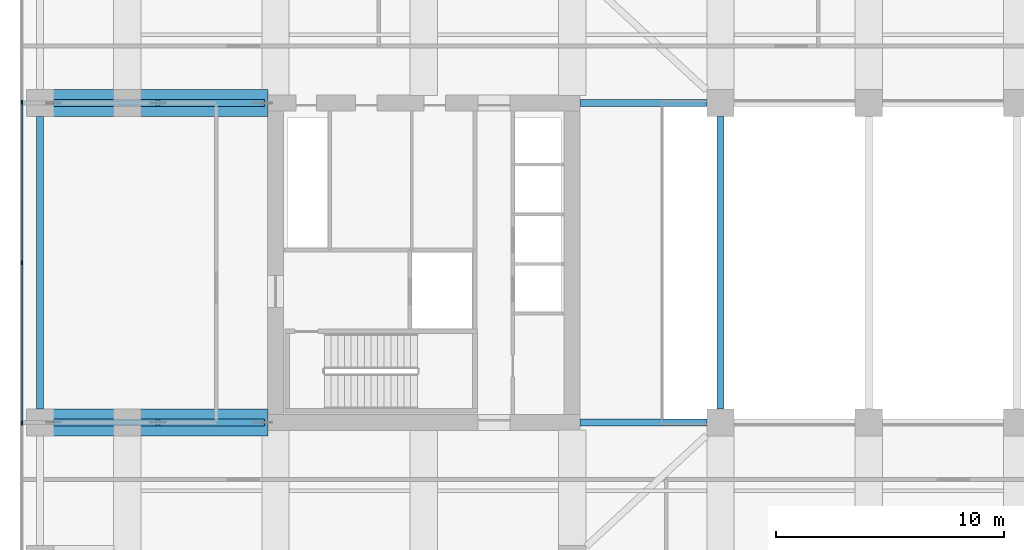
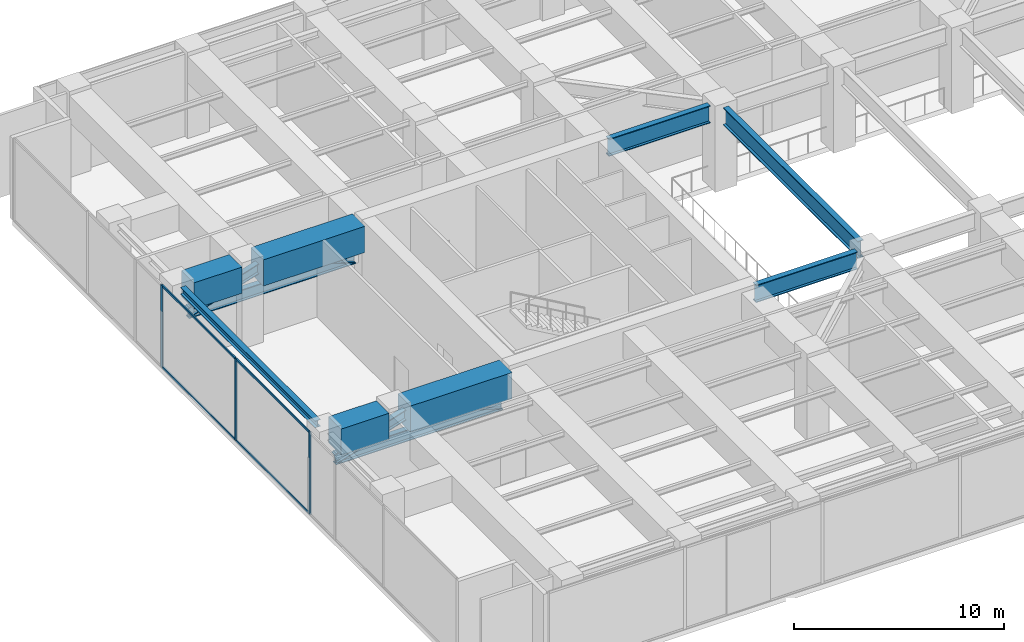
# One storey, part 4 of 28: 13 members, 8 beams, 1 element without a shape of its own.
"""IFC4 building model written with IfcOpenShell, lengths in metres."""

import ifcopenshell
import ifcopenshell.guid

model = None  # the IFC model being written
_history = None  # IfcOwnerHistory: only IFC2X3 demands one
_inside = {}  # id of a spatial element -> (the spatial element, [elements in it])
_under = {}  # id of a project, library or spatial element -> (it, [spatial elements below it])
_declared = {}  # id of a project -> (the project, [libraries it declares])
_typed = {}  # id of a type object -> (the type object, [elements of that type])
_made_of = {}  # id of a material, layer set ... -> (it, [elements and type objects made of it])


def new_model(schema):
    """Start an empty IFC model of exactly this schema.

    Asked for "IFC4X3", IfcOpenShell would pick the latest addendum, in which some entities
    have other attributes; the version numbers below select the first issue.
    IFC2X3 requires an IfcOwnerHistory on every rooted entity: one is made here for all.
    """
    global model, _history
    if schema == "IFC4X3":
        model = ifcopenshell.file(schema_version=(4, 3, 0, 0))
    else:
        model = ifcopenshell.file(schema=schema)
    _inside.clear()
    _under.clear()
    _declared.clear()
    _typed.clear()
    _made_of.clear()
    _history = None
    if model.schema == "IFC2X3":
        org = make("IfcOrganization", Name="unknown")
        user = make(
            "IfcPersonAndOrganization",
            ThePerson=make("IfcPerson", FamilyName="unknown"),
            TheOrganization=org,
        )
        app = make(
            "IfcApplication",
            ApplicationDeveloper=org,
            Version="unknown",
            ApplicationFullName="unknown",
            ApplicationIdentifier="unknown",
        )
        _history = make(
            "IfcOwnerHistory",
            OwningUser=user,
            OwningApplication=app,
            ChangeAction="ADDED",
            CreationDate=0,
        )
    return model


def make(cls, **values):
    """One entity of the class cls with the attributes given. An attribute that is None is left unset."""
    return model.create_entity(
        cls, **{name: value for name, value in values.items() if value is not None}
    )


def rooted(cls, **values):
    """An entity with a GlobalId (a new one), such as an element, a storey or a relation."""
    return make(cls, GlobalId=ifcopenshell.guid.new(), OwnerHistory=_history, **values)


def si_unit(unit_type, name, prefix=None):
    """IfcSIUnit, for example si_unit("LENGTHUNIT", "METRE", prefix="MILLI")."""
    return make("IfcSIUnit", UnitType=unit_type, Prefix=prefix, Name=name)


def assignment(units):
    """IfcUnitAssignment: the units of a project."""
    return None if units is None else make("IfcUnitAssignment", Units=units)


def point(xyz):
    """IfcCartesianPoint."""
    return None if xyz is None else make("IfcCartesianPoint", Coordinates=xyz)


def direction(xyz):
    """IfcDirection."""
    return None if xyz is None else make("IfcDirection", DirectionRatios=xyz)


def frame(location, z_axis=None, x_axis=None):
    """IfcAxis2Placement3D, a coordinate frame: its origin and axes. An axis left out is left unset."""
    return make(
        "IfcAxis2Placement3D",
        Location=point(location),
        Axis=direction(z_axis),
        RefDirection=direction(x_axis),
    )


def frame_2d(location, x_axis=None):
    """IfcAxis2Placement2D, a coordinate frame in the plane: its origin and x axis."""
    return make(
        "IfcAxis2Placement2D", Location=point(location), RefDirection=direction(x_axis)
    )


def origin():
    """The frame at (0, 0, 0) with its axes left unset."""
    return frame((0.0, 0.0, 0.0))


def origin_2d():
    """The frame at (0, 0) in the plane with its x axis left unset."""
    return frame_2d((0.0, 0.0))


def place(relative_to, where):
    """IfcLocalPlacement: puts the frame where relative to a parent placement (None: the world)."""
    return make(
        "IfcLocalPlacement", PlacementRelTo=relative_to, RelativePlacement=where
    )


def context(
    kind, dimensions, precision=None, world=None, true_north=None, identifier=None
):
    """IfcGeometricRepresentationContext, for example the 3D "Model" context."""
    return make(
        "IfcGeometricRepresentationContext",
        ContextIdentifier=identifier,
        ContextType=kind,
        CoordinateSpaceDimension=dimensions,
        Precision=precision,
        WorldCoordinateSystem=world,
        TrueNorth=true_north,
    )


def subcontext(parent, identifier, kind, view, scale=None):
    """IfcGeometricRepresentationSubContext, for example "Body" below "Model"."""
    return make(
        "IfcGeometricRepresentationSubContext",
        ContextIdentifier=identifier,
        ContextType=kind,
        ParentContext=parent,
        TargetScale=scale,
        TargetView=view,
    )


def project(units=None, contexts=None):
    """IfcProject with its units and contexts."""
    return rooted(
        "IfcProject",
        Name="project",
        RepresentationContexts=contexts,
        UnitsInContext=assignment(units),
    )


def spatial(cls, under=None, at=None, **own):
    """A site, building, storey or space (cls), placed at a placement, below another one or the project."""
    s = rooted(cls, ObjectPlacement=at, **own)
    if under is not None:
        _under.setdefault(under.id(), (under, []))[1].append(s)
    return s


def profile(cls, at=None, kind="AREA", **sizes):
    """A parametric profile (cls). Its sizes go by their IFC names, for example OverallWidth=200.0."""
    return make(cls, ProfileType=kind, Position=at, **sizes)


def rectangle(**sizes):
    """IfcRectangleProfileDef."""
    return profile("IfcRectangleProfileDef", **sizes)


def i_section(**sizes):
    """IfcIShapeProfileDef."""
    return profile("IfcIShapeProfileDef", **sizes)


def extrude(swept, where, along, depth):
    """IfcExtrudedAreaSolid: the profile swept, set in the frame where, extruded along a direction by depth."""
    return make(
        "IfcExtrudedAreaSolid",
        SweptArea=swept,
        Position=where,
        ExtrudedDirection=direction(along),
        Depth=depth,
    )


def shape(context_of_items, identifier, shape_type, items):
    """IfcShapeRepresentation: the items that make up one representation, for example the "Body"."""
    return make(
        "IfcShapeRepresentation",
        ContextOfItems=context_of_items,
        RepresentationIdentifier=identifier,
        RepresentationType=shape_type,
        Items=items,
    )


def material(Name=None, Category=None):
    """IfcMaterial."""
    return make("IfcMaterial", Name=Name, Category=Category)


def layer(
    of_material, thickness, ventilated=None, Name=None, Category=None, Priority=None
):
    """IfcMaterialLayer: one layer of a wall or slab, of a material (None: an air gap)."""
    return make(
        "IfcMaterialLayer",
        Material=of_material,
        LayerThickness=thickness,
        IsVentilated=ventilated,
        Name=Name,
        Category=Category,
        Priority=Priority,
    )


def layer_set(layers, Name=None):
    """IfcMaterialLayerSet."""
    return make("IfcMaterialLayerSet", MaterialLayers=layers, LayerSetName=Name)


def material_profile(
    of_material, cross_section, Name=None, Category=None, Priority=None
):
    """IfcMaterialProfile: a cross section and its material."""
    return make(
        "IfcMaterialProfile",
        Name=Name,
        Material=of_material,
        Profile=cross_section,
        Priority=Priority,
        Category=Category,
    )


def profile_set(profiles, Name=None, composite=None):
    """IfcMaterialProfileSet."""
    return make(
        "IfcMaterialProfileSet",
        Name=Name,
        MaterialProfiles=profiles,
        CompositeProfile=composite,
    )


def made_of(thing, what):
    """Note that an element or type object is made of a material, layer set ...; save() writes the relation."""
    if what is not None:
        _made_of.setdefault(what.id(), (what, []))[1].append(thing)
    return thing


def type_object(cls, material=None, **own):
    """A type object (cls), such as IfcWallType, which elements share."""
    return made_of(rooted(cls, **own), material)


def element(
    cls,
    number,
    at=None,
    inside=None,
    cuts=None,
    type_object=None,
    material=None,
    context=None,
    identifier="Body",
    shape_type=None,
    held_by="IfcProductDefinitionShape",
    body=None,
    shapes=None,
    **own,
):
    """One element of the class cls, such as IfcWall. Its Tag is "e" and its number.

    at: its placement. inside: the storey or other place that contains it. cuts: it is an
    opening in that element (IfcRelVoidsElement). A single representation is given by context,
    identifier, shape_type and body (its items); several are given by shapes. held_by: the class
    of the entity that holds the representations. save() writes the other relations.
    """
    e = rooted(cls, Tag="e%d" % number, ObjectPlacement=at, **own)
    if body is not None:
        shapes = [shape(context, identifier, shape_type, body)]
    if shapes is not None:
        e.Representation = make(held_by, Representations=shapes)
    if inside is not None:
        _inside.setdefault(inside.id(), (inside, []))[1].append(e)
    if cuts is not None:
        rooted(
            "IfcRelVoidsElement", RelatingBuildingElement=cuts, RelatedOpeningElement=e
        )
    if type_object is not None:
        _typed.setdefault(type_object.id(), (type_object, []))[1].append(e)
    return made_of(e, material)


def aggregate(whole, parts):
    """IfcRelAggregates: a whole, such as a stair, and the parts it consists of."""
    return rooted("IfcRelAggregates", RelatingObject=whole, RelatedObjects=parts)


def save(model, path):
    """Write the relations noted so far, then the file.

    IfcRelAggregates (storeys below a building ...), IfcRelContainedInSpatialStructure (elements
    in a storey), IfcRelDefinesByType, IfcRelAssociatesMaterial and IfcRelDeclares: one each for
    every whole, place, type object, material and project.
    """
    for whole, parts in _under.values():
        aggregate(whole, parts)
    for where, things in _inside.values():
        rooted(
            "IfcRelContainedInSpatialStructure",
            RelatedElements=things,
            RelatingStructure=where,
        )
    for kind, things in _typed.values():
        rooted("IfcRelDefinesByType", RelatedObjects=things, RelatingType=kind)
    for what, things in _made_of.values():
        rooted("IfcRelAssociatesMaterial", RelatedObjects=things, RelatingMaterial=what)
    for by, libraries in _declared.values():
        rooted("IfcRelDeclares", RelatingContext=by, RelatedDefinitions=libraries)
    model.write(path)


model = new_model("IFC4")

# Units and contexts
model_context = context("Model", 3, precision=1e-05, world=origin(), true_north=direction((0.0, 1.0)))
body_context = subcontext(model_context, "Body", "Model", "MODEL_VIEW")
ifc_project = project(units=[si_unit("LENGTHUNIT", "METRE"), si_unit("AREAUNIT", "SQUARE_METRE"), si_unit("VOLUMEUNIT", "CUBIC_METRE"), si_unit("PLANEANGLEUNIT", "RADIAN"), si_unit("MASSUNIT", "GRAM", prefix="KILO")], contexts=[model_context])

# Site, building, storey
site_placement = place(None, origin())
site = spatial("IfcSite", under=ifc_project, at=site_placement, CompositionType="ELEMENT")
building_placement = place(site_placement, origin())
building = spatial("IfcBuilding", under=site, at=building_placement, Name="Putna Gate Headquarters", CompositionType="ELEMENT")
storey_placement = place(building_placement, frame((0.0, 0.0, 139.199951171875)))
storey = spatial("IfcBuildingStorey", under=building, at=storey_placement, Name="L34", CompositionType="ELEMENT", Elevation=139.199951171875)

# Beams
ifc_material_1 = material(Name="Steel S355J2", Category="steel")
ifc_material_profile_1 = material_profile(ifc_material_1, i_section(OverallWidth=0.300048828125, OverallDepth=0.39990234375, WebThickness=0.013427734375, FlangeThickness=0.02392578125, at=origin_2d()), Name="Steel S355J2")
ifc_profile_set_1 = profile_set([ifc_material_profile_1], Name="Steel S355J2")
beam_type_1 = type_object("IfcBeamType", Name="BM-SPAN-Z3-HEB400", PredefinedType="SPANDREL", material=ifc_profile_set_1)
beam_1_placement = place(storey_placement, frame((2.679931640625, 19.587890625, 4.572021484375), z_axis=(0.0, 1.0, 0.0), x_axis=(-1.0, 0.0, 0.0)))
element("IfcBeam", 1, at=beam_1_placement, inside=storey, type_object=beam_type_1, Name="L34 W End Spandrel 2", PredefinedType="SPANDREL", context=body_context, shape_type="SweptSolid", body=[
    extrude(i_section(OverallWidth=0.300048828125, OverallDepth=0.39990234375, WebThickness=0.013427734375, FlangeThickness=0.02392578125, at=origin_2d()), origin(), (0.0, 0.0, 1.0), 12.82421875),
])
ifc_material_2 = material(Name="Steel S460M", Category="steel")
ifc_material_profile_2 = material_profile(ifc_material_2, i_section(OverallWidth=0.302001953125, OverallDepth=1.008056640625, WebThickness=0.02099609375, FlangeThickness=0.0400390625, at=origin_2d()), Name="Steel S460M")
ifc_profile_set_2 = profile_set([ifc_material_profile_2], Name="Steel S460M")
beam_type_2 = type_object("IfcBeamType", Name="BM-TG-HEM1000", PredefinedType="USERDEFINED", material=ifc_profile_set_2)
for number, where, z_axis, x_axis, name in (
    (2, (26.3349609375, 19.0, 4.26806640625), (1.0, 0.0, 0.0), (0.0, 1.0, 0.0), "L34 Atrium Edge Beam AS1"),
    (3, (26.3349609375, 33.0, 4.26806640625), (1.0, 0.0, 0.0), (0.0, 1.0, 0.0), "L34 Atrium Edge Beam AN1"),
):
    element("IfcBeam", number, at=place(storey_placement, frame(where, z_axis=z_axis, x_axis=x_axis)), inside=storey, type_object=beam_type_2, Name=name, ObjectType="GIRDER", PredefinedType="USERDEFINED", context=body_context, shape_type="SweptSolid", body=[
        extrude(i_section(OverallWidth=0.302001953125, OverallDepth=1.008056640625, WebThickness=0.02099609375, FlangeThickness=0.0400390625, at=origin_2d()), origin(), (0.0, 0.0, 1.0), 5.5771484375),
    ])
beam_2_placement = place(storey_placement, frame((32.5, 19.587890625, 4.26806640625), z_axis=(0.0, 1.0, 0.0), x_axis=(-1.0, 0.0, 0.0)))
element("IfcBeam", 4, at=beam_2_placement, inside=storey, type_object=beam_type_2, Name="L34 Plant Floor Central Tie Girder X32", ObjectType="GIRDER", PredefinedType="USERDEFINED", context=body_context, shape_type="SweptSolid", body=[
    extrude(i_section(OverallWidth=0.302001953125, OverallDepth=1.008056640625, WebThickness=0.02099609375, FlangeThickness=0.0400390625, at=origin_2d()), origin(), (0.0, 0.0, 1.0), 12.82421875),
])
ifc_material_3 = material(Name="Concrete C50/60", Category="concrete")
ifc_material_profile_3 = material_profile(ifc_material_3, rectangle(XDim=1.199951171875, YDim=1.52001953125, at=origin_2d()), Name="Concrete C50/60")
ifc_profile_set_3 = profile_set([ifc_material_profile_3], Name="Concrete C50/60")
beam_type_3 = type_object("IfcBeamType", Name="BM-TG-RC1520", PredefinedType="USERDEFINED", material=ifc_profile_set_3)
beam_3_placement = place(storey_placement, frame((3.26806640625, 19.0, 4.011962890625), z_axis=(1.0, 0.0, 0.0), x_axis=(0.0, 1.0, 0.0)))
element("IfcBeam", 5, at=beam_3_placement, inside=storey, type_object=beam_type_3, Name="L34 West Wing Girder Y19-1", ObjectType="GIRDER", PredefinedType="USERDEFINED", context=body_context, shape_type="SweptSolid", body=[
    extrude(rectangle(XDim=1.199951171875, YDim=1.52001953125, at=origin_2d()), origin(), (0.0, 0.0, 1.0), 2.64404296875),
])
beam_4_placement = place(storey_placement, frame((7.087890625, 19.0, 4.011962890625), z_axis=(1.0, 0.0, 0.0), x_axis=(0.0, 1.0, 0.0)))
element("IfcBeam", 6, at=beam_4_placement, inside=storey, type_object=beam_type_3, Name="L34 West Wing Girder Y19-2", ObjectType="GIRDER", PredefinedType="USERDEFINED", context=body_context, shape_type="SweptSolid", body=[
    extrude(rectangle(XDim=1.199951171875, YDim=1.52001953125, at=origin_2d()), origin(), (0.0, 0.0, 1.0), 5.5771484375),
])
beam_5_placement = place(storey_placement, frame((3.26806640625, 33.0, 4.011962890625), z_axis=(1.0, 0.0, 0.0), x_axis=(0.0, 1.0, 0.0)))
element("IfcBeam", 7, at=beam_5_placement, inside=storey, type_object=beam_type_3, Name="L34 West Wing Girder Y33-1", ObjectType="GIRDER", PredefinedType="USERDEFINED", context=body_context, shape_type="SweptSolid", body=[
    extrude(rectangle(XDim=1.199951171875, YDim=1.52001953125, at=origin_2d()), origin(), (0.0, 0.0, 1.0), 2.64404296875),
])
beam_6_placement = place(storey_placement, frame((7.087890625, 33.0, 4.011962890625), z_axis=(1.0, 0.0, 0.0), x_axis=(0.0, 1.0, 0.0)))
element("IfcBeam", 8, at=beam_6_placement, inside=storey, type_object=beam_type_3, Name="L34 West Wing Girder Y33-2", ObjectType="GIRDER", PredefinedType="USERDEFINED", context=body_context, shape_type="SweptSolid", body=[
    extrude(rectangle(XDim=1.199951171875, YDim=1.52001953125, at=origin_2d()), origin(), (0.0, 0.0, 1.0), 5.5771484375),
])

# Members
ifc_material_profile_4 = material_profile(ifc_material_2, i_section(OverallWidth=0.304931640625, OverallDepth=0.66796875, WebThickness=0.02099609375, FlangeThickness=0.0400390625, at=origin_2d()), Name="Steel S460M")
ifc_profile_set_4 = profile_set([ifc_material_profile_4], Name="Steel S460M")
member_type_1 = type_object("IfcMemberType", Name="MEM-OUTRIGGER-CHORD-HEM650", PredefinedType="CHORD", material=ifc_profile_set_4)
for number, where, z_axis, x_axis, name in (
    (9, (3.264892578125, 19.0, 2.75), (1.0, 0.0, 0.0), (0.0, 1.0, 0.0), "L34 Outrigger Bottom Chord WS"),
    (10, (3.264892578125, 33.0, 2.75), (1.0, 0.0, 0.0), (0.0, 1.0, 0.0), "L34 Outrigger Bottom Chord WN"),
):
    element("IfcMember", number, at=place(storey_placement, frame(where, z_axis=z_axis, x_axis=x_axis)), inside=storey, type_object=member_type_1, Name=name, PredefinedType="CHORD", context=body_context, shape_type="SweptSolid", body=[
        extrude(i_section(OverallWidth=0.304931640625, OverallDepth=0.66796875, WebThickness=0.02099609375, FlangeThickness=0.0400390625, at=origin_2d()), origin(), (0.0, 0.0, 1.0), 9.1650390625),
    ])
ifc_material_profile_5 = material_profile(ifc_material_2, i_section(OverallWidth=0.305908203125, OverallDepth=0.572021484375, WebThickness=0.02099609375, FlangeThickness=0.0400390625, at=origin_2d()), Name="Steel S460M")
ifc_profile_set_5 = profile_set([ifc_material_profile_5], Name="Steel S460M")
member_type_2 = type_object("IfcMemberType", Name="MEM-OUTRIGGER-DIAG-HEM550", PredefinedType="BRACE", material=ifc_profile_set_5)
for number, where, z_axis, x_axis, name in (
    (11, (3.264892578125, 19.0, 2.75), (0.952076047921, 0.0, 0.305861404846), (0.0, 1.0, 0.0), "L34 Outrigger Truss Brace WS-1"),
    (12, (7.847412109375, 19.0, 4.22216796875), (0.952076047921, 0.0, -0.305861404846), (0.0, 1.0, 0.0), "L34 Outrigger Truss Brace WS-2"),
    (13, (3.264892578125, 33.0, 2.75), (0.952076047921, 0.0, 0.305861404846), (0.0, 1.0, 0.0), "L34 Outrigger Truss Brace WN-1"),
    (14, (7.847412109375, 33.0, 4.22216796875), (0.952076047921, 0.0, -0.305861404846), (0.0, 1.0, 0.0), "L34 Outrigger Truss Brace WN-2"),
):
    element("IfcMember", number, at=place(storey_placement, frame(where, z_axis=z_axis, x_axis=x_axis)), inside=storey, type_object=member_type_2, Name=name, PredefinedType="BRACE", context=body_context, shape_type="SweptSolid", body=[
        extrude(i_section(OverallWidth=0.305908203125, OverallDepth=0.572021484375, WebThickness=0.02099609375, FlangeThickness=0.0400390625, at=origin_2d()), origin(), (0.0, 0.0, 1.0), 4.813232421875),
    ])

# Curtain wall, members
ifc_material_4 = material(Name="Anodised bronze aluminium curtain wall", Category="aluminium")
ifc_layer = layer(ifc_material_4, 0.159912109375)
ifc_layer_set = layer_set([ifc_layer], Name="Anodised bronze aluminium curtain wall")
curtain_wall_type = type_object("IfcCurtainWallType", Name="CW-SYS-CRN", PredefinedType="USERDEFINED", material=ifc_layer_set)
curtain_wall_placement = place(storey_placement, origin())
curtain_wall = element("IfcCurtainWall", 15, at=curtain_wall_placement, inside=storey, type_object=curtain_wall_type, Name="L34 Acoustic Louvre West Enclosure", ObjectType="STICK CURTAIN WALL", PredefinedType="USERDEFINED")
ifc_material_5 = material(Name="Anodised bronze aluminium EN AW-6060", Category="aluminium")
ifc_material_profile_6 = material_profile(ifc_material_5, rectangle(XDim=0.06494140625, YDim=0.159912109375, at=origin_2d()), Name="Anodised bronze aluminium EN AW-6060")
ifc_profile_set_6 = profile_set([ifc_material_profile_6], Name="Anodised bronze aluminium EN AW-6060")
member_type_3 = type_object("IfcMemberType", Name="MULL-CWM-CR", PredefinedType="MULLION", material=ifc_profile_set_6)
member_1_placement = place(storey_placement, frame((1.8798828125, 18.966552734375, 0.0), z_axis=(0.0, 0.0, 1.0), x_axis=(-1.0, 0.0, 0.0)))
member_1 = element("IfcMember", 16, at=member_1_placement, type_object=member_type_3, Name="CWS-CR mullion 3", PredefinedType="MULLION", context=body_context, shape_type="SweptSolid", body=[
    extrude(rectangle(XDim=0.06494140625, YDim=0.159912109375, at=origin_2d()), origin(), (0.0, 0.0, 1.0), 4.77197265625),
])
member_2_placement = place(storey_placement, frame((1.8798828125, 26.0, 0.0), z_axis=(0.0, 0.0, 1.0), x_axis=(-1.0, 0.0, 0.0)))
member_2 = element("IfcMember", 17, at=member_2_placement, type_object=member_type_3, Name="CWS-CR mullion 4", PredefinedType="MULLION", context=body_context, shape_type="SweptSolid", body=[
    extrude(rectangle(XDim=0.06494140625, YDim=0.159912109375, at=origin_2d()), origin(), (0.0, 0.0, 1.0), 4.77197265625),
])
member_3_placement = place(storey_placement, frame((1.8798828125, 33.033447265625, 0.0), z_axis=(0.0, 0.0, 1.0), x_axis=(-1.0, 0.0, 0.0)))
member_3 = element("IfcMember", 18, at=member_3_placement, type_object=member_type_3, Name="CWS-CR mullion 5", PredefinedType="MULLION", context=body_context, shape_type="SweptSolid", body=[
    extrude(rectangle(XDim=0.06494140625, YDim=0.159912109375, at=origin_2d()), origin(), (0.0, 0.0, 1.0), 4.77197265625),
])
ifc_material_profile_7 = material_profile(ifc_material_5, rectangle(XDim=0.06494140625, YDim=0.1201171875, at=origin_2d()), Name="Anodised bronze aluminium EN AW-6060")
ifc_profile_set_7 = profile_set([ifc_material_profile_7], Name="Anodised bronze aluminium EN AW-6060")
member_type_4 = type_object("IfcMemberType", Name="TRAN-CWT-CR", PredefinedType="USERDEFINED", material=ifc_profile_set_7)
member_4_placement = place(storey_placement, frame((1.8798828125, 18.999267578125, 0.032470703125), z_axis=(0.0, 1.0, 0.0), x_axis=(-1.0, 0.0, 0.0)))
member_4 = element("IfcMember", 19, at=member_4_placement, type_object=member_type_4, Name="CWS-CR transom 3.1", ObjectType="TRANSOM", PredefinedType="USERDEFINED", context=body_context, shape_type="SweptSolid", body=[
    extrude(rectangle(XDim=0.06494140625, YDim=0.1201171875, at=origin_2d()), origin(), (0.0, 0.0, 1.0), 6.96826171875),
])
member_5_placement = place(storey_placement, frame((1.8798828125, 18.999267578125, 4.739501953125), z_axis=(0.0, 1.0, 0.0), x_axis=(-1.0, 0.0, 0.0)))
member_5 = element("IfcMember", 20, at=member_5_placement, type_object=member_type_4, Name="CWS-CR transom 3.2", ObjectType="TRANSOM", PredefinedType="USERDEFINED", context=body_context, shape_type="SweptSolid", body=[
    extrude(rectangle(XDim=0.06494140625, YDim=0.1201171875, at=origin_2d()), origin(), (0.0, 0.0, 1.0), 6.96826171875),
])
member_6_placement = place(storey_placement, frame((1.8798828125, 26.032470703125, 0.032470703125), z_axis=(0.0, 1.0, 0.0), x_axis=(-1.0, 0.0, 0.0)))
member_6 = element("IfcMember", 21, at=member_6_placement, type_object=member_type_4, Name="CWS-CR transom 4.1", ObjectType="TRANSOM", PredefinedType="USERDEFINED", context=body_context, shape_type="SweptSolid", body=[
    extrude(rectangle(XDim=0.06494140625, YDim=0.1201171875, at=origin_2d()), origin(), (0.0, 0.0, 1.0), 6.96826171875),
])
member_7_placement = place(storey_placement, frame((1.8798828125, 26.032470703125, 4.739501953125), z_axis=(0.0, 1.0, 0.0), x_axis=(-1.0, 0.0, 0.0)))
member_7 = element("IfcMember", 22, at=member_7_placement, type_object=member_type_4, Name="CWS-CR transom 4.2", ObjectType="TRANSOM", PredefinedType="USERDEFINED", context=body_context, shape_type="SweptSolid", body=[
    extrude(rectangle(XDim=0.06494140625, YDim=0.1201171875, at=origin_2d()), origin(), (0.0, 0.0, 1.0), 6.96826171875),
])
aggregate(curtain_wall, [member_1, member_2, member_3, member_4, member_5, member_6, member_7])

save(model, "model.ifc")
